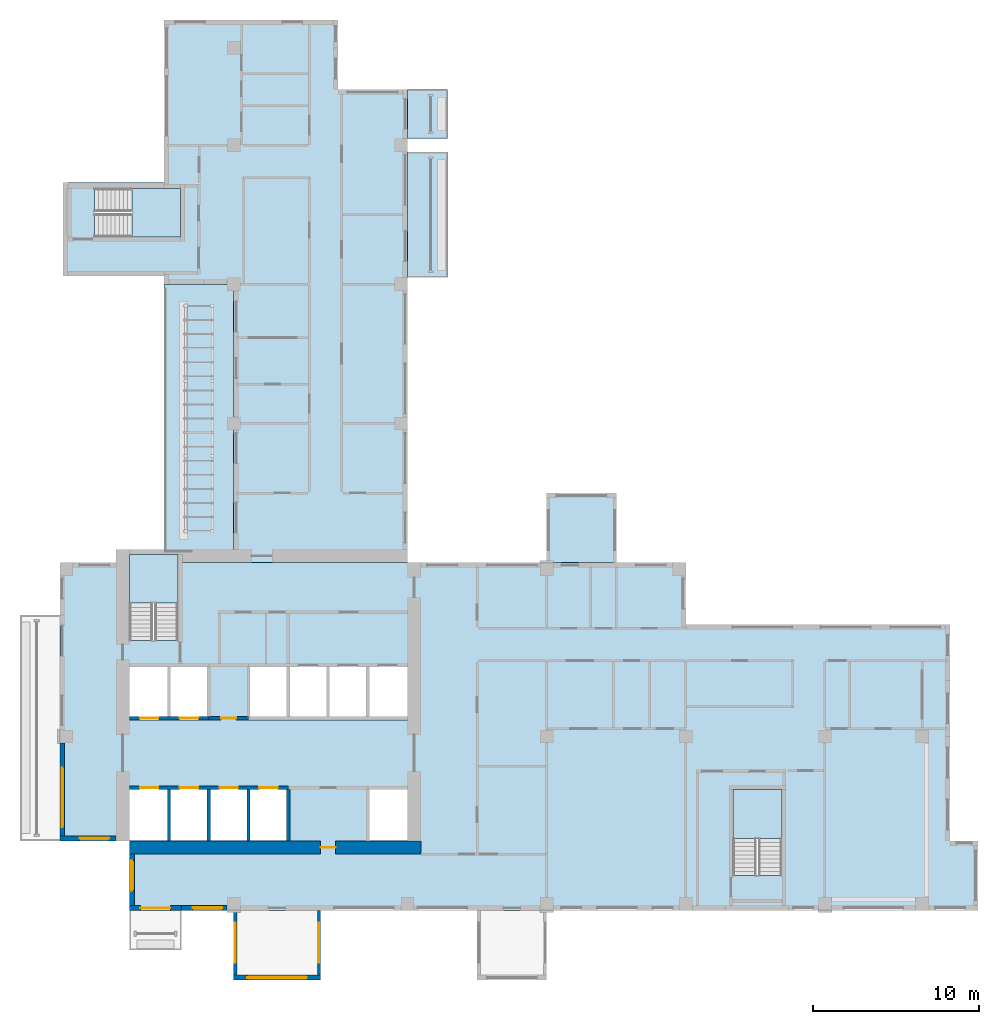
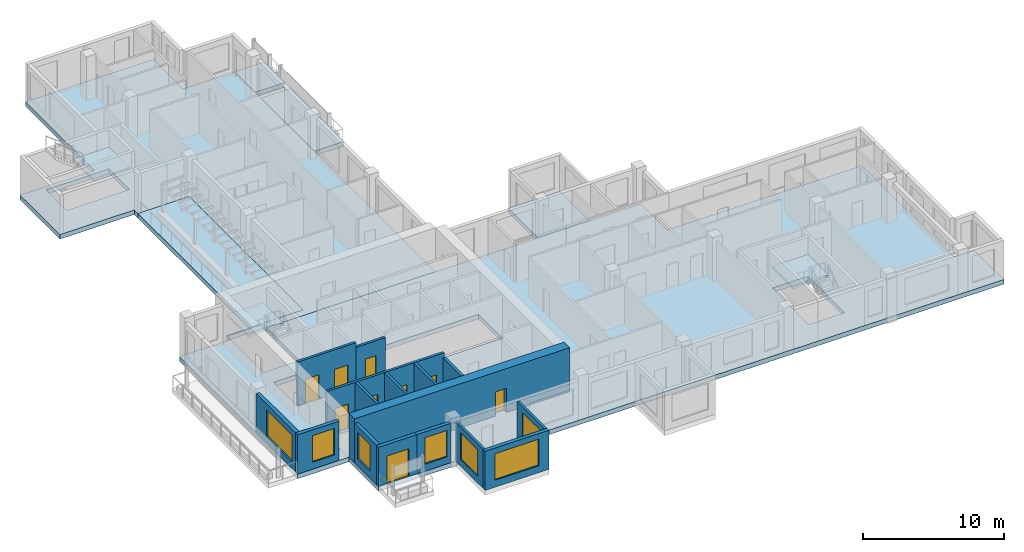
# One storey, part 3 of 14: 16 walls, 9 doors, 9 slabs, 7 windows, 16 openings, 3 elements without a shape of their own.
"""IFC4 building model written with IfcOpenShell, lengths in metres."""

from ifc_helpers import new_model, si_unit, direction, frame, frame_2d, origin, place, context, subcontext, project, spatial, polyline, rectangle, outline, extrude, source, transform, mapped, material, layer, layer_set, type_object, element, fill, aggregate, save


model = new_model("IFC4")

# Units and contexts
model_context = context("Model", 3, precision=1e-05, world=origin(), true_north=direction((0.0, 1.0)))
body_context = subcontext(model_context, "Body", "Model", "MODEL_VIEW")
ifc_project = project(units=[si_unit("LENGTHUNIT", "METRE"), si_unit("AREAUNIT", "SQUARE_METRE"), si_unit("VOLUMEUNIT", "CUBIC_METRE"), si_unit("PLANEANGLEUNIT", "RADIAN"), si_unit("MASSUNIT", "GRAM", prefix="KILO")], contexts=[model_context])

# Site, building, storey
site_placement = place(None, origin())
site = spatial("IfcSite", under=ifc_project, at=site_placement, CompositionType="ELEMENT")
building_placement = place(site_placement, origin())
building = spatial("IfcBuilding", under=site, at=building_placement, Name="Aurelian Terraces", CompositionType="ELEMENT")
storey_placement = place(building_placement, frame((0.0, 0.0, 231.0)))
storey = spatial("IfcBuildingStorey", under=building, at=storey_placement, Name="L52", CompositionType="ELEMENT", Elevation=231.0)

# Slabs
ifc_material_1 = material(Name="Concrete fc' 40 MPa", Category="concrete")
ifc_layer_1 = layer(ifc_material_1, 0.4)
ifc_layer_set_1 = layer_set([ifc_layer_1], Name="Balcony slab 400")
slab_type_1 = type_object("IfcSlabType", Name="Balcony slab 400", PredefinedType="NOTDEFINED", material=ifc_layer_set_1)
slab_1_placement = place(storey_placement, frame((0.0, 0.0, -0.4)))
element("IfcSlab", 1, at=slab_1_placement, inside=storey, type_object=slab_type_1, Name="Balcony slab L52 F08.20", PredefinedType="NOTDEFINED", context=body_context, shape_type="SweptSolid", body=[
    extrude(outline(polyline([(21.0, 38.2), (21.0, 45.8), (23.4, 45.8), (23.4, 38.2), (21.0, 38.2)])), origin(), (0.0, 0.0, 1.0), 0.4),
])
slab_2_placement = place(storey_placement, frame((0.0, 0.0, -0.4)))
element("IfcSlab", 2, at=slab_2_placement, inside=storey, type_object=slab_type_1, Name="Balcony slab L52 F08.21", PredefinedType="NOTDEFINED", context=body_context, shape_type="SweptSolid", body=[
    extrude(outline(polyline([(21.0, 46.6), (21.0, 49.56), (23.4, 49.56), (23.4, 46.6), (21.0, 46.6)])), origin(), (0.0, 0.0, 1.0), 0.4),
])
ifc_layer_2 = layer(ifc_material_1, 0.4)
ifc_layer_set_2 = layer_set([ifc_layer_2], Name="PT FLAT PLATE 400")
slab_type_2 = type_object("IfcSlabType", Name="PT FLAT PLATE 400", PredefinedType="FLOOR", material=ifc_layer_set_2)
slab_3_placement = place(storey_placement, frame((0.0, 0.0, -0.4)))
element("IfcSlab", 3, at=slab_3_placement, inside=storey, type_object=slab_type_2, Name="Floor slab W L52", PredefinedType="FLOOR", context=body_context, shape_type="SweptSolid", body=[
    extrude(outline(polyline([(6.3, 49.56), (6.3, 53.76), (10.5, 53.76), (16.8, 53.76), (16.8, 49.56), (21.0, 49.56), (21.0, 21.0), (7.14, 21.0), (7.14, 21.49), (4.21, 21.49), (4.21, 21.0), (4.2, 21.0), (4.2, 21.6), (6.3, 21.6), (10.5, 21.6), (10.5, 37.8), (6.3, 37.8), (6.3, 38.3), (0.2, 38.3), (0.2, 43.95), (6.3, 43.95), (6.3, 49.56)]), holes=[polyline([(7.29, 43.59), (2.11, 43.59), (2.11, 40.66), (7.29, 40.66), (7.29, 43.59)])]), origin(), (0.0, 0.0, 1.0), 0.4),
])
shared_shape_1 = source(origin(), body_context, "Body", "SweptSolid", [
    extrude(outline(polyline([(21.0, 0.0), (4.2, 0.0), (4.2, 4.2), (0.0, 4.2), (0.0, 21.0), (4.21, 21.0), (4.21, 16.31), (7.14, 16.31), (7.14, 21.0), (21.0, 21.0), (37.8, 21.0), (37.8, 17.25), (53.76, 17.25), (53.76, 4.2), (55.44, 4.2), (55.44, 0.0), (21.0, 0.0)]), holes=[polyline([(40.66, 2.11), (43.59, 2.11), (43.59, 7.29), (40.66, 7.29), (40.66, 2.11)]), polyline([(18.61, 7.49), (18.61, 4.21), (20.99, 4.21), (20.99, 7.49), (18.61, 7.49)]), polyline([(20.99, 14.89), (11.41, 14.89), (11.41, 11.51), (20.99, 11.51), (20.99, 14.89)]), polyline([(4.21, 7.49), (4.21, 4.21), (13.79, 4.21), (13.79, 7.49), (4.21, 7.49)]), polyline([(4.21, 14.89), (4.21, 11.51), (8.99, 11.51), (8.99, 14.89), (4.21, 14.89)])]), origin(), (0.0, 0.0, 1.0), 0.4),
])
slab_4_placement = place(storey_placement, frame((0.0, 0.0, -0.4)))
element("IfcSlab", 4, at=slab_4_placement, inside=storey, type_object=slab_type_2, Name="Floor slab S L52", PredefinedType="FLOOR", context=body_context, shape_type="MappedRepresentation", body=[
    mapped(shared_shape_1, transform((0.0, 0.0, 0.0), scale=1.0)),
])
ifc_layer_3 = layer(ifc_material_1, 0.41)
ifc_layer_set_3 = layer_set([ifc_layer_3], Name="Box floor 410")
slab_type_3 = type_object("IfcSlabType", Name="Box floor 410", PredefinedType="NOTDEFINED", material=ifc_layer_set_3)
shared_shape_2 = source(origin(), body_context, "Body", "SweptSolid", [
    extrude(outline(polyline([(33.6, 25.2), (29.4, 25.2), (29.4, 21.0), (33.6, 21.0), (33.6, 25.2)])), origin(), (0.0, 0.0, 1.0), 0.41),
])
slab_5_placement = place(storey_placement, frame((0.0, 0.0, -0.41)))
element("IfcSlab", 5, at=slab_5_placement, inside=storey, type_object=slab_type_3, Name="Box floor L52 J77", PredefinedType="NOTDEFINED", context=body_context, shape_type="MappedRepresentation", body=[
    mapped(shared_shape_2, transform((0.0, 0.0, 0.0), scale=1.0)),
])
ifc_layer_4 = layer(ifc_material_1, 0.4001)
ifc_layer_set_4 = layer_set([ifc_layer_4], Name="Terrace slab 400")
slab_type_4 = type_object("IfcSlabType", Name="Terrace slab 400", PredefinedType="NOTDEFINED", material=ifc_layer_set_4)
shared_shape_3 = source(origin(), body_context, "Body", "SweptSolid", [
    extrude(outline(polyline([(10.5, 21.6), (6.3, 21.6), (6.3, 37.8), (10.5, 37.8), (10.5, 21.6)])), origin(), (0.0, 0.0, 1.0), 0.4001),
])
slab_6_placement = place(storey_placement, frame((0.0, 0.0, -0.4001)))
element("IfcSlab", 6, at=slab_6_placement, inside=storey, type_object=slab_type_4, Name="Sky terrace L52 SKY-08-T1", PredefinedType="NOTDEFINED", context=body_context, shape_type="MappedRepresentation", body=[
    mapped(shared_shape_3, transform((0.0, 0.0, 0.0), scale=1.0)),
])

# Stair, slab
stair_type = type_object("IfcStairType", Name="Stair 1400", PredefinedType="HALF_TURN_STAIR", material=ifc_material_1)
stair_1_placement = place(storey_placement, origin())
stair_1 = element("IfcStair", 7, at=stair_1_placement, inside=storey, type_object=stair_type, Name="L52 S1", PredefinedType="HALF_TURN_STAIR")
ifc_layer_5 = layer(ifc_material_1, 0.2)
ifc_layer_set_5 = layer_set([ifc_layer_5], Name="Stair landing 200")
slab_type_5 = type_object("IfcSlabType", Name="Stair landing 200", PredefinedType="LANDING", material=ifc_layer_set_5)
shared_shape_4 = source(origin(), body_context, "Body", "SweptSolid", [
    extrude(outline(polyline([(7.15, 18.55), (7.15, 21.5), (4.2, 21.5), (4.2, 18.55), (7.15, 18.55)])), origin(), (0.0, 0.0, 1.0), 0.2),
])
slab_7_placement = place(storey_placement, frame((0.0, 0.0, 1.7)))
slab_7 = element("IfcSlab", 8, at=slab_7_placement, type_object=slab_type_5, Name="S1 landing 1", PredefinedType="LANDING", context=body_context, shape_type="MappedRepresentation", body=[
    mapped(shared_shape_4, transform((0.0, 0.0, 0.0), scale=1.0)),
])
aggregate(stair_1, [slab_7])

stair_2_placement = place(storey_placement, origin())
stair_2 = element("IfcStair", 9, at=stair_2_placement, inside=storey, type_object=stair_type, Name="L52 S2", PredefinedType="HALF_TURN_STAIR")
shared_shape_5 = source(origin(), body_context, "Body", "SweptSolid", [
    extrude(outline(polyline([(43.6, 4.35), (43.6, 7.3), (40.65, 7.3), (40.65, 4.35), (43.6, 4.35)])), origin(), (0.0, 0.0, 1.0), 0.2),
])
slab_8_placement = place(storey_placement, frame((0.0, 0.0, 1.7)))
slab_8 = element("IfcSlab", 10, at=slab_8_placement, type_object=slab_type_5, Name="S2 landing 1", PredefinedType="LANDING", context=body_context, shape_type="MappedRepresentation", body=[
    mapped(shared_shape_5, transform((0.0, 0.0, 0.0), scale=1.0)),
])
aggregate(stair_2, [slab_8])

stair_3_placement = place(storey_placement, origin())
stair_3 = element("IfcStair", 11, at=stair_3_placement, inside=storey, type_object=stair_type, Name="L52 S3", PredefinedType="HALF_TURN_STAIR")
shared_shape_6 = source(origin(), body_context, "Body", "SweptSolid", [
    extrude(outline(polyline([(4.35, 40.65), (7.3, 40.65), (7.3, 43.6), (4.35, 43.6), (4.35, 40.65)])), origin(), (0.0, 0.0, 1.0), 0.2),
])
slab_9_placement = place(storey_placement, frame((0.0, 0.0, 1.7)))
slab_9 = element("IfcSlab", 12, at=slab_9_placement, type_object=slab_type_5, Name="S3 landing 1", PredefinedType="LANDING", context=body_context, shape_type="MappedRepresentation", body=[
    mapped(shared_shape_6, transform((0.0, 0.0, 0.0), scale=1.0)),
])
aggregate(stair_3, [slab_9])

# Wall, opening, window
ifc_material_2 = material(Name="Terracotta rainscreen cladding", Category="masonry")
ifc_layer_6 = layer(ifc_material_2, 0.3)
ifc_layer_set_6 = layer_set([ifc_layer_6], Name="EW-300")
wall_type_1 = type_object("IfcWallType", Name="EW-300", PredefinedType="STANDARD", material=ifc_layer_set_6)
wall_1_placement = place(storey_placement, frame((7.35, 0.15, 0.0), z_axis=(0.0, 0.0, 1.0), x_axis=(1.0, 0.0, 0.0)))
wall_1 = element("IfcWall", 13, at=wall_1_placement, inside=storey, type_object=wall_type_1, Name="External wall L52 F01.2", PredefinedType="STANDARD", context=body_context, shape_type="SweptSolid", body=[
    extrude(rectangle(XDim=2.75, YDim=0.3, at=frame_2d((1.375, 0.0))), origin(), (0.0, 0.0, 1.0), 3.4),
])
shared_shape_7 = source(origin(), body_context, "Body", "SweptSolid", [
    extrude(rectangle(XDim=1.8, YDim=2.3, at=frame_2d((0.9, 1.15))), frame((0.0, 0.16, 0.0), z_axis=(0.0, -1.0, 0.0), x_axis=(1.0, 0.0, 0.0)), (0.0, 0.0, 1.0), 0.32),
])
opening_1_placement = place(wall_1_placement, frame((0.675, 0.0, 0.6)))
opening_1 = element("IfcOpeningElement", 14, at=opening_1_placement, cuts=wall_1, Name="Opening W1823", PredefinedType="OPENING", context=body_context, shape_type="MappedRepresentation", body=[
    mapped(shared_shape_7, transform((0.0, 0.0, 0.0), scale=1.0)),
])
ifc_material_3 = material(Name="Clear glazing", Category="glass")
window_type_1 = type_object("IfcWindowType", Name="W-1800x2300", PartitioningType="SINGLE_PANEL", PredefinedType="WINDOW", material=ifc_material_3)
shared_shape_8 = source(origin(), body_context, "Body", "SweptSolid", [
    extrude(rectangle(XDim=1.8, YDim=2.3, at=frame_2d((0.9, 1.15))), frame((0.0, 0.03, 0.0), z_axis=(0.0, -1.0, 0.0), x_axis=(1.0, 0.0, 0.0)), (0.0, 0.0, 1.0), 0.06),
])
window_1_placement = place(opening_1_placement, origin())
window_1 = element("IfcWindow", 15, at=window_1_placement, inside=storey, type_object=window_type_1, Name="Window L52 L52-F01-02-0", OverallHeight=2.3, OverallWidth=1.8, PartitioningType="SINGLE_PANEL", PredefinedType="WINDOW", context=body_context, shape_type="MappedRepresentation", body=[
    mapped(shared_shape_8, transform((0.0, 0.0, 0.0), scale=1.0)),
])
fill(opening_1, window_1)

# Wall, opening, door
ifc_material_4 = material(Name="Concrete fc' 70 MPa", Category="concrete")
ifc_layer_7 = layer(ifc_material_4, 0.8)
ifc_layer_set_7 = layer_set([ifc_layer_7], Name="CORE WALL 800 FC70")
wall_type_2 = type_object("IfcWallType", Name="CORE WALL 800 FC70", PredefinedType="SHEAR", material=ifc_layer_set_7)
shared_shape_9 = source(origin(), body_context, "Body", "SweptSolid", [
    extrude(rectangle(XDim=17.6, YDim=0.8, at=frame_2d((8.8, 0.0))), origin(), (0.0, 0.0, 1.0), 3.8),
])
wall_2_placement = place(storey_placement, frame((4.2, 3.8, 0.0), z_axis=(0.0, 0.0, 1.0), x_axis=(1.0, 0.0, 0.0)))
wall_2 = element("IfcWall", 16, at=wall_2_placement, inside=storey, type_object=wall_type_2, Name="Core wall S L52", PredefinedType="SHEAR", context=body_context, shape_type="MappedRepresentation", body=[
    mapped(shared_shape_9, transform((0.0, 0.0, 0.0), scale=1.0)),
])
shared_shape_10 = source(origin(), body_context, "Body", "SweptSolid", [
    extrude(rectangle(XDim=0.9, YDim=2.1, at=frame_2d((0.45, 1.05))), frame((0.0, 0.41, 0.0), z_axis=(0.0, -1.0, 0.0), x_axis=(1.0, 0.0, 0.0)), (0.0, 0.0, 1.0), 0.82),
])
opening_2_placement = place(wall_2_placement, frame((11.55, 0.0, 0.0)))
opening_2 = element("IfcOpeningElement", 17, at=opening_2_placement, cuts=wall_2, Name="Opening 65525", PredefinedType="OPENING", context=body_context, shape_type="MappedRepresentation", body=[
    mapped(shared_shape_10, transform((0.0, 0.0, 0.0), scale=1.0)),
])
ifc_material_5 = material(Name="Steel door leaf", Category="steel")
door_type_1 = type_object("IfcDoorType", Name="Core service door 900x2100 right", OperationType="SINGLE_SWING_RIGHT", PredefinedType="DOOR", material=ifc_material_5)
shared_shape_11 = source(origin(), body_context, "Body", "SweptSolid", [
    extrude(rectangle(XDim=0.9, YDim=2.1, at=frame_2d((0.45, 1.05))), frame((0.0, 0.025, 0.0), z_axis=(0.0, -1.0, 0.0), x_axis=(1.0, 0.0, 0.0)), (0.0, 0.0, 1.0), 0.05),
])
door_1_placement = place(opening_2_placement, origin())
door_1 = element("IfcDoor", 18, at=door_1_placement, inside=storey, type_object=door_type_1, Name="Core door 65525", OperationType="SINGLE_SWING_RIGHT", OverallHeight=2.1, OverallWidth=0.9, PredefinedType="DOOR", context=body_context, shape_type="MappedRepresentation", body=[
    mapped(shared_shape_11, transform((0.0, 0.0, 0.0), scale=1.0)),
])
fill(opening_2, door_1)

# Wall, opening, window
shared_shape_12 = source(origin(), body_context, "Body", "SweptSolid", [
    extrude(rectangle(XDim=3.4, YDim=0.3, at=frame_2d((1.7, 0.0))), origin(), (0.0, 0.0, 1.0), 3.4),
])
wall_3_placement = place(storey_placement, frame((0.0, 4.35, 0.0), z_axis=(0.0, 0.0, 1.0), x_axis=(1.0, 0.0, 0.0)))
wall_3 = element("IfcWall", 19, at=wall_3_placement, inside=storey, type_object=wall_type_1, Name="External wall L52 F23.38", PredefinedType="STANDARD", context=body_context, shape_type="MappedRepresentation", body=[
    mapped(shared_shape_12, transform((0.0, 0.0, 0.0), scale=1.0)),
])
opening_3_placement = place(wall_3_placement, frame((1.2, 0.0, 0.6)))
opening_3 = element("IfcOpeningElement", 20, at=opening_3_placement, cuts=wall_3, Name="Opening W1823", PredefinedType="OPENING", context=body_context, shape_type="MappedRepresentation", body=[
    mapped(shared_shape_7, transform((0.0, 0.0, 0.0), scale=1.0)),
])
window_2_placement = place(opening_3_placement, origin())
window_2 = element("IfcWindow", 21, at=window_2_placement, inside=storey, type_object=window_type_1, Name="Window L52 L52-F23-38-0", OverallHeight=2.3, OverallWidth=1.8, PartitioningType="SINGLE_PANEL", PredefinedType="WINDOW", context=body_context, shape_type="MappedRepresentation", body=[
    mapped(shared_shape_8, transform((0.0, 0.0, 0.0), scale=1.0)),
])
fill(opening_3, window_2)

wall_4_placement = place(storey_placement, frame((4.35, 3.4, 0.0), z_axis=(0.0, 0.0, 1.0), x_axis=(0.0, -1.0, 0.0)))
wall_4 = element("IfcWall", 22, at=wall_4_placement, inside=storey, type_object=wall_type_1, Name="External wall L52 F24.39", PredefinedType="STANDARD", context=body_context, shape_type="MappedRepresentation", body=[
    mapped(shared_shape_12, transform((0.0, 0.0, 0.0), scale=1.0)),
])
opening_4_placement = place(wall_4_placement, frame((0.4, 0.0, 0.6)))
opening_4 = element("IfcOpeningElement", 23, at=opening_4_placement, cuts=wall_4, Name="Opening W1823", PredefinedType="OPENING", context=body_context, shape_type="MappedRepresentation", body=[
    mapped(shared_shape_7, transform((0.0, 0.0, 0.0), scale=1.0)),
])
window_3_placement = place(opening_4_placement, origin())
window_3 = element("IfcWindow", 24, at=window_3_placement, inside=storey, type_object=window_type_1, Name="Window L52 L52-F24-39-0", OverallHeight=2.3, OverallWidth=1.8, PartitioningType="SINGLE_PANEL", PredefinedType="WINDOW", context=body_context, shape_type="MappedRepresentation", body=[
    mapped(shared_shape_8, transform((0.0, 0.0, 0.0), scale=1.0)),
])
fill(opening_4, window_3)

ifc_layer_8 = layer(ifc_material_1, 0.2)
ifc_layer_set_8 = layer_set([ifc_layer_8], Name="BOX BEARING WALL 200")
wall_type_3 = type_object("IfcWallType", Name="BOX BEARING WALL 200", PredefinedType="SOLIDWALL", material=ifc_layer_set_8)
shared_shape_13 = source(origin(), body_context, "Body", "SweptSolid", [
    extrude(rectangle(XDim=3.9, YDim=0.2, at=frame_2d((1.95, 0.0))), origin(), (0.0, 0.0, 1.0), 3.39),
])
wall_5_placement = place(storey_placement, frame((10.6, 0.0, 0.0), z_axis=(0.0, 0.0, 1.0), x_axis=(0.0, -1.0, 0.0)))
wall_5 = element("IfcWall", 25, at=wall_5_placement, inside=storey, type_object=wall_type_3, Name="Box return L52 J75.1", PredefinedType="SOLIDWALL", context=body_context, shape_type="MappedRepresentation", body=[
    mapped(shared_shape_13, transform((0.0, 0.0, 0.0), scale=1.0)),
])
shared_shape_14 = source(origin(), body_context, "Body", "SweptSolid", [
    extrude(rectangle(XDim=2.4, YDim=2.3, at=frame_2d((1.2, 1.15))), frame((0.0, 0.11, 0.0), z_axis=(0.0, -1.0, 0.0), x_axis=(1.0, 0.0, 0.0)), (0.0, 0.0, 1.0), 0.22),
])
opening_5_placement = place(wall_5_placement, frame((0.75, 0.0, 0.6)))
opening_5 = element("IfcOpeningElement", 26, at=opening_5_placement, cuts=wall_5, Name="Opening W2423", PredefinedType="OPENING", context=body_context, shape_type="MappedRepresentation", body=[
    mapped(shared_shape_14, transform((0.0, 0.0, 0.0), scale=1.0)),
])
window_type_2 = type_object("IfcWindowType", Name="W-2400x2300", PartitioningType="SINGLE_PANEL", PredefinedType="WINDOW", material=ifc_material_3)
shared_shape_15 = source(origin(), body_context, "Body", "SweptSolid", [
    extrude(rectangle(XDim=2.4, YDim=2.3, at=frame_2d((1.2, 1.15))), frame((0.0, 0.03, 0.0), z_axis=(0.0, -1.0, 0.0), x_axis=(1.0, 0.0, 0.0)), (0.0, 0.0, 1.0), 0.06),
])
window_4_placement = place(opening_5_placement, origin())
window_4 = element("IfcWindow", 27, at=window_4_placement, inside=storey, type_object=window_type_2, Name="Window L52 J75-S1", OverallHeight=2.3, OverallWidth=2.4, PartitioningType="SINGLE_PANEL", PredefinedType="WINDOW", context=body_context, shape_type="MappedRepresentation", body=[
    mapped(shared_shape_15, transform((0.0, 0.0, 0.0), scale=1.0)),
])
fill(opening_5, window_4)

wall_6_placement = place(storey_placement, frame((15.65, 0.0, 0.0), z_axis=(0.0, 0.0, 1.0), x_axis=(0.0, -1.0, 0.0)))
wall_6 = element("IfcWall", 28, at=wall_6_placement, inside=storey, type_object=wall_type_3, Name="Box return L52 J75.2", PredefinedType="SOLIDWALL", context=body_context, shape_type="MappedRepresentation", body=[
    mapped(shared_shape_13, transform((0.0, 0.0, 0.0), scale=1.0)),
])
opening_6_placement = place(wall_6_placement, frame((0.75, 0.0, 0.6)))
opening_6 = element("IfcOpeningElement", 29, at=opening_6_placement, cuts=wall_6, Name="Opening W2423", PredefinedType="OPENING", context=body_context, shape_type="MappedRepresentation", body=[
    mapped(shared_shape_14, transform((0.0, 0.0, 0.0), scale=1.0)),
])
window_5_placement = place(opening_6_placement, origin())
window_5 = element("IfcWindow", 30, at=window_5_placement, inside=storey, type_object=window_type_2, Name="Window L52 J75-S2", OverallHeight=2.3, OverallWidth=2.4, PartitioningType="SINGLE_PANEL", PredefinedType="WINDOW", context=body_context, shape_type="MappedRepresentation", body=[
    mapped(shared_shape_15, transform((0.0, 0.0, 0.0), scale=1.0)),
])
fill(opening_6, window_5)

# Wall, opening, door
shared_shape_16 = source(origin(), body_context, "Body", "SweptSolid", [
    extrude(rectangle(XDim=3.15, YDim=0.3, at=frame_2d((1.575, 0.0))), origin(), (0.0, 0.0, 1.0), 3.4),
])
wall_7_placement = place(storey_placement, frame((4.2, 0.15, 0.0), z_axis=(0.0, 0.0, 1.0), x_axis=(1.0, 0.0, 0.0)))
wall_7 = element("IfcWall", 31, at=wall_7_placement, inside=storey, type_object=wall_type_1, Name="External wall L52 F01.1", PredefinedType="STANDARD", context=body_context, shape_type="MappedRepresentation", body=[
    mapped(shared_shape_16, transform((0.0, 0.0, 0.0), scale=1.0)),
])
shared_shape_17 = source(origin(), body_context, "Body", "SweptSolid", [
    extrude(rectangle(XDim=1.8, YDim=2.4, at=frame_2d((0.9, 1.2))), frame((0.0, 0.16, 0.0), z_axis=(0.0, -1.0, 0.0), x_axis=(1.0, 0.0, 0.0)), (0.0, 0.0, 1.0), 0.32),
])
opening_7_placement = place(wall_7_placement, frame((0.675, 0.0, 0.0)))
opening_7 = element("IfcOpeningElement", 32, at=opening_7_placement, cuts=wall_7, Name="Opening 85201", PredefinedType="OPENING", context=body_context, shape_type="MappedRepresentation", body=[
    mapped(shared_shape_17, transform((0.0, 0.0, 0.0), scale=1.0)),
])
door_type_2 = type_object("IfcDoorType", Name="BD-1800x2400", OperationType="SLIDING_TO_LEFT", PredefinedType="DOOR", material=ifc_material_3)
shared_shape_18 = source(origin(), body_context, "Body", "SweptSolid", [
    extrude(rectangle(XDim=1.8, YDim=2.4, at=frame_2d((0.9, 1.2))), frame((0.0, 0.025, 0.0), z_axis=(0.0, -1.0, 0.0), x_axis=(1.0, 0.0, 0.0)), (0.0, 0.0, 1.0), 0.05),
])
door_2_placement = place(opening_7_placement, origin())
door_2 = element("IfcDoor", 33, at=door_2_placement, inside=storey, type_object=door_type_2, Name="Balcony door L52 F01.1", OperationType="SLIDING_TO_LEFT", OverallHeight=2.4, OverallWidth=1.8, PredefinedType="DOOR", context=body_context, shape_type="MappedRepresentation", body=[
    mapped(shared_shape_18, transform((0.0, 0.0, 0.0), scale=1.0)),
])
fill(opening_7, door_2)

# Wall, opening, window
ifc_layer_9 = layer(ifc_material_1, 0.3)
ifc_layer_set_9 = layer_set([ifc_layer_9], Name="BOX BEARING WALL 300")
wall_type_4 = type_object("IfcWallType", Name="BOX BEARING WALL 300", PredefinedType="SOLIDWALL", material=ifc_layer_set_9)
shared_shape_19 = source(origin(), body_context, "Body", "SweptSolid", [
    extrude(rectangle(XDim=5.25, YDim=0.3, at=frame_2d((2.625, 0.0))), origin(), (0.0, 0.0, 1.0), 3.39),
])
wall_8_placement = place(storey_placement, frame((10.5, -4.05, 0.0), z_axis=(0.0, 0.0, 1.0), x_axis=(1.0, 0.0, 0.0)))
wall_8 = element("IfcWall", 34, at=wall_8_placement, inside=storey, type_object=wall_type_4, Name="Box wall L52 J75", PredefinedType="SOLIDWALL", context=body_context, shape_type="MappedRepresentation", body=[
    mapped(shared_shape_19, transform((0.0, 0.0, 0.0), scale=1.0)),
])
shared_shape_20 = source(origin(), body_context, "Body", "SweptSolid", [
    extrude(rectangle(XDim=3.6, YDim=2.3, at=frame_2d((1.8, 1.15))), frame((0.0, 0.16, 0.0), z_axis=(0.0, -1.0, 0.0), x_axis=(1.0, 0.0, 0.0)), (0.0, 0.0, 1.0), 0.32),
])
opening_8_placement = place(wall_8_placement, frame((0.825, 0.0, 0.6)))
opening_8 = element("IfcOpeningElement", 35, at=opening_8_placement, cuts=wall_8, Name="Opening W3623", PredefinedType="OPENING", context=body_context, shape_type="MappedRepresentation", body=[
    mapped(shared_shape_20, transform((0.0, 0.0, 0.0), scale=1.0)),
])
window_type_3 = type_object("IfcWindowType", Name="W-3600x2300", PartitioningType="SINGLE_PANEL", PredefinedType="WINDOW", material=ifc_material_3)
shared_shape_21 = source(origin(), body_context, "Body", "SweptSolid", [
    extrude(rectangle(XDim=3.6, YDim=2.3, at=frame_2d((1.8, 1.15))), frame((0.0, 0.03, 0.0), z_axis=(0.0, -1.0, 0.0), x_axis=(1.0, 0.0, 0.0)), (0.0, 0.0, 1.0), 0.06),
])
window_6_placement = place(opening_8_placement, origin())
window_6 = element("IfcWindow", 36, at=window_6_placement, inside=storey, type_object=window_type_3, Name="Window L52 J75-F1", OverallHeight=2.3, OverallWidth=3.6, PartitioningType="SINGLE_PANEL", PredefinedType="WINDOW", context=body_context, shape_type="MappedRepresentation", body=[
    mapped(shared_shape_21, transform((0.0, 0.0, 0.0), scale=1.0)),
])
fill(opening_8, window_6)

shared_shape_22 = source(origin(), body_context, "Body", "SweptSolid", [
    extrude(rectangle(XDim=5.9, YDim=0.3, at=frame_2d((2.95, 0.0))), origin(), (0.0, 0.0, 1.0), 3.4),
])
wall_9_placement = place(storey_placement, frame((0.15, 10.1, 0.0), z_axis=(0.0, 0.0, 1.0), x_axis=(0.0, -1.0, 0.0)))
wall_9 = element("IfcWall", 37, at=wall_9_placement, inside=storey, type_object=wall_type_1, Name="External wall L52 F22.37", PredefinedType="STANDARD", context=body_context, shape_type="MappedRepresentation", body=[
    mapped(shared_shape_22, transform((0.0, 0.0, 0.0), scale=1.0)),
])
opening_9_placement = place(wall_9_placement, frame((1.475, 0.0, 0.6)))
opening_9 = element("IfcOpeningElement", 38, at=opening_9_placement, cuts=wall_9, Name="Opening W3623", PredefinedType="OPENING", context=body_context, shape_type="MappedRepresentation", body=[
    mapped(shared_shape_20, transform((0.0, 0.0, 0.0), scale=1.0)),
])
window_7_placement = place(opening_9_placement, origin())
window_7 = element("IfcWindow", 39, at=window_7_placement, inside=storey, type_object=window_type_3, Name="Window L52 L52-F22-37-2", OverallHeight=2.3, OverallWidth=3.6, PartitioningType="SINGLE_PANEL", PredefinedType="WINDOW", context=body_context, shape_type="MappedRepresentation", body=[
    mapped(shared_shape_21, transform((0.0, 0.0, 0.0), scale=1.0)),
])
fill(opening_9, window_7)

# Walls
ifc_layer_10 = layer(ifc_material_1, 0.2)
ifc_layer_set_10 = layer_set([ifc_layer_10], Name="Lift shaft wall 200")
wall_type_5 = type_object("IfcWallType", Name="Lift shaft wall 200", PredefinedType="SOLIDWALL", material=ifc_layer_set_10)
shared_shape_23 = source(origin(), body_context, "Body", "SweptSolid", [
    extrude(rectangle(XDim=3.1, YDim=0.2, at=frame_2d((1.55, 0.0))), origin(), (0.0, 0.0, 1.0), 3.8),
])
for number, where, z_axis, x_axis, name in (
    (40, (6.6, 4.2, 0.0), (0.0, 0.0, 1.0), (0.0, 1.0, 0.0), "L52 core wall CD-A1"),
    (41, (9.0, 4.2, 0.0), (0.0, 0.0, 1.0), (0.0, 1.0, 0.0), "L52 core wall CD-A2"),
    (42, (11.4, 4.2, 0.0), (0.0, 0.0, 1.0), (0.0, 1.0, 0.0), "L52 core wall CD-A3"),
):
    element("IfcWall", number, at=place(storey_placement, frame(where, z_axis=z_axis, x_axis=x_axis)), inside=storey, type_object=wall_type_5, Name=name, PredefinedType="SOLIDWALL", context=body_context, shape_type="MappedRepresentation", body=[
        mapped(shared_shape_23, transform((0.0, 0.0, 0.0), scale=1.0)),
    ])
shared_shape_24 = source(origin(), body_context, "Body", "SweptSolid", [
    extrude(rectangle(XDim=3.1, YDim=0.2, at=frame_2d((1.55, 0.0))), origin(), (0.0, 0.0, 1.0), 3.4),
])
wall_10_placement = place(storey_placement, frame((13.8, 4.2, 0.0), z_axis=(0.0, 0.0, 1.0), x_axis=(0.0, 1.0, 0.0)))
element("IfcWall", 43, at=wall_10_placement, inside=storey, type_object=wall_type_5, Name="L52 core wall CD-A4", PredefinedType="SOLIDWALL", context=body_context, shape_type="MappedRepresentation", body=[
    mapped(shared_shape_24, transform((0.0, 0.0, 0.0), scale=1.0)),
])

# Wall, openings, doors
shared_shape_25 = source(origin(), body_context, "Body", "SweptSolid", [
    extrude(rectangle(XDim=9.6, YDim=0.2, at=frame_2d((4.8, 0.0))), origin(), (0.0, 0.0, 1.0), 3.8),
])
wall_11_placement = place(storey_placement, frame((4.2, 7.4, 0.0), z_axis=(0.0, 0.0, 1.0), x_axis=(1.0, 0.0, 0.0)))
wall_11 = element("IfcWall", 44, at=wall_11_placement, inside=storey, type_object=wall_type_5, Name="L52 core wall CF-AF1", PredefinedType="SOLIDWALL", context=body_context, shape_type="MappedRepresentation", body=[
    mapped(shared_shape_25, transform((0.0, 0.0, 0.0), scale=1.0)),
])
shared_shape_26 = source(origin(), body_context, "Body", "SweptSolid", [
    extrude(rectangle(XDim=1.1, YDim=2.1, at=frame_2d((0.55, 1.05))), frame((0.0, 0.11, 0.0), z_axis=(0.0, -1.0, 0.0), x_axis=(1.0, 0.0, 0.0)), (0.0, 0.0, 1.0), 0.22),
])
opening_10_placement = place(wall_11_placement, frame((0.65, 0.0, 0.0)))
opening_10 = element("IfcOpeningElement", 45, at=opening_10_placement, cuts=wall_11, Name="Opening 65500", PredefinedType="OPENING", context=body_context, shape_type="MappedRepresentation", body=[
    mapped(shared_shape_26, transform((0.0, 0.0, 0.0), scale=1.0)),
])
opening_11_placement = place(wall_11_placement, frame((3.05, 0.0, 0.0)))
opening_11 = element("IfcOpeningElement", 46, at=opening_11_placement, cuts=wall_11, Name="Opening 65501", PredefinedType="OPENING", context=body_context, shape_type="MappedRepresentation", body=[
    mapped(shared_shape_26, transform((0.0, 0.0, 0.0), scale=1.0)),
])
opening_12_placement = place(wall_11_placement, frame((5.45, 0.0, 0.0)))
opening_12 = element("IfcOpeningElement", 47, at=opening_12_placement, cuts=wall_11, Name="Opening 65502", PredefinedType="OPENING", context=body_context, shape_type="MappedRepresentation", body=[
    mapped(shared_shape_26, transform((0.0, 0.0, 0.0), scale=1.0)),
])
opening_13_placement = place(wall_11_placement, frame((7.85, 0.0, 0.0)))
opening_13 = element("IfcOpeningElement", 48, at=opening_13_placement, cuts=wall_11, Name="Opening 65503", PredefinedType="OPENING", context=body_context, shape_type="MappedRepresentation", body=[
    mapped(shared_shape_26, transform((0.0, 0.0, 0.0), scale=1.0)),
])
ifc_material_6 = material(Name="Stainless steel", Category="steel")
door_type_3 = type_object("IfcDoorType", Name="Lift landing door 1100x2100", OperationType="SLIDING_TO_LEFT", PredefinedType="DOOR", material=ifc_material_6)
shared_shape_27 = source(origin(), body_context, "Body", "SweptSolid", [
    extrude(rectangle(XDim=1.1, YDim=2.1, at=frame_2d((0.55, 1.05))), frame((0.0, 0.025, 0.0), z_axis=(0.0, -1.0, 0.0), x_axis=(1.0, 0.0, 0.0)), (0.0, 0.0, 1.0), 0.05),
])
door_3_placement = place(opening_10_placement, origin())
door_3 = element("IfcDoor", 49, at=door_3_placement, inside=storey, type_object=door_type_3, Name="Lift landing door LM1 L52", OperationType="SLIDING_TO_LEFT", OverallHeight=2.1, OverallWidth=1.1, PredefinedType="DOOR", context=body_context, shape_type="MappedRepresentation", body=[
    mapped(shared_shape_27, transform((0.0, 0.0, 0.0), scale=1.0)),
])
fill(opening_10, door_3)
door_4_placement = place(opening_11_placement, origin())
door_4 = element("IfcDoor", 50, at=door_4_placement, inside=storey, type_object=door_type_3, Name="Lift landing door LM2 L52", OperationType="SLIDING_TO_LEFT", OverallHeight=2.1, OverallWidth=1.1, PredefinedType="DOOR", context=body_context, shape_type="MappedRepresentation", body=[
    mapped(shared_shape_27, transform((0.0, 0.0, 0.0), scale=1.0)),
])
fill(opening_11, door_4)
door_5_placement = place(opening_12_placement, origin())
door_5 = element("IfcDoor", 51, at=door_5_placement, inside=storey, type_object=door_type_3, Name="Lift landing door LM3 L52", OperationType="SLIDING_TO_LEFT", OverallHeight=2.1, OverallWidth=1.1, PredefinedType="DOOR", context=body_context, shape_type="MappedRepresentation", body=[
    mapped(shared_shape_27, transform((0.0, 0.0, 0.0), scale=1.0)),
])
fill(opening_12, door_5)
door_6_placement = place(opening_13_placement, origin())
door_6 = element("IfcDoor", 52, at=door_6_placement, inside=storey, type_object=door_type_3, Name="Lift landing door LM4 L52", OperationType="SLIDING_TO_LEFT", OverallHeight=2.1, OverallWidth=1.1, PredefinedType="DOOR", context=body_context, shape_type="MappedRepresentation", body=[
    mapped(shared_shape_27, transform((0.0, 0.0, 0.0), scale=1.0)),
])
fill(opening_13, door_6)

shared_shape_28 = source(origin(), body_context, "Body", "SweptSolid", [
    extrude(rectangle(XDim=4.8, YDim=0.2, at=frame_2d((2.4, 0.0))), origin(), (0.0, 0.0, 1.0), 3.8),
])
wall_12_placement = place(storey_placement, frame((4.2, 11.6, 0.0), z_axis=(0.0, 0.0, 1.0), x_axis=(1.0, 0.0, 0.0)))
wall_12 = element("IfcWall", 53, at=wall_12_placement, inside=storey, type_object=wall_type_5, Name="L52 core wall CF-BF1", PredefinedType="SOLIDWALL", context=body_context, shape_type="MappedRepresentation", body=[
    mapped(shared_shape_28, transform((0.0, 0.0, 0.0), scale=1.0)),
])
opening_14_placement = place(wall_12_placement, frame((0.65, 0.0, 0.0)))
opening_14 = element("IfcOpeningElement", 54, at=opening_14_placement, cuts=wall_12, Name="Opening 65505", PredefinedType="OPENING", context=body_context, shape_type="MappedRepresentation", body=[
    mapped(shared_shape_26, transform((0.0, 0.0, 0.0), scale=1.0)),
])
opening_15_placement = place(wall_12_placement, frame((3.05, 0.0, 0.0)))
opening_15 = element("IfcOpeningElement", 55, at=opening_15_placement, cuts=wall_12, Name="Opening 65506", PredefinedType="OPENING", context=body_context, shape_type="MappedRepresentation", body=[
    mapped(shared_shape_26, transform((0.0, 0.0, 0.0), scale=1.0)),
])
door_7_placement = place(opening_14_placement, origin())
door_7 = element("IfcDoor", 56, at=door_7_placement, inside=storey, type_object=door_type_3, Name="Lift landing door LM5 L52", OperationType="SLIDING_TO_LEFT", OverallHeight=2.1, OverallWidth=1.1, PredefinedType="DOOR", context=body_context, shape_type="MappedRepresentation", body=[
    mapped(shared_shape_27, transform((0.0, 0.0, 0.0), scale=1.0)),
])
fill(opening_14, door_7)
door_8_placement = place(opening_15_placement, origin())
door_8 = element("IfcDoor", 57, at=door_8_placement, inside=storey, type_object=door_type_3, Name="Lift landing door LM6 L52", OperationType="SLIDING_TO_LEFT", OverallHeight=2.1, OverallWidth=1.1, PredefinedType="DOOR", context=body_context, shape_type="MappedRepresentation", body=[
    mapped(shared_shape_27, transform((0.0, 0.0, 0.0), scale=1.0)),
])
fill(opening_15, door_8)

# Wall, opening, door
shared_shape_29 = source(origin(), body_context, "Body", "SweptSolid", [
    extrude(rectangle(XDim=2.4, YDim=0.2, at=frame_2d((1.2, 0.0))), origin(), (0.0, 0.0, 1.0), 3.4),
])
wall_13_placement = place(storey_placement, frame((9.0, 11.6, 0.0), z_axis=(0.0, 0.0, 1.0), x_axis=(1.0, 0.0, 0.0)))
wall_13 = element("IfcWall", 58, at=wall_13_placement, inside=storey, type_object=wall_type_5, Name="L52 core wall CF-BF2", PredefinedType="SOLIDWALL", context=body_context, shape_type="MappedRepresentation", body=[
    mapped(shared_shape_29, transform((0.0, 0.0, 0.0), scale=1.0)),
])
shared_shape_30 = source(origin(), body_context, "Body", "SweptSolid", [
    extrude(rectangle(XDim=0.9, YDim=2.1, at=frame_2d((0.45, 1.05))), frame((0.0, 0.11, 0.0), z_axis=(0.0, -1.0, 0.0), x_axis=(1.0, 0.0, 0.0)), (0.0, 0.0, 1.0), 0.22),
])
opening_16_placement = place(wall_13_placement, frame((0.75, 0.0, 0.0)))
opening_16 = element("IfcOpeningElement", 59, at=opening_16_placement, cuts=wall_13, Name="Opening 65507", PredefinedType="OPENING", context=body_context, shape_type="MappedRepresentation", body=[
    mapped(shared_shape_30, transform((0.0, 0.0, 0.0), scale=1.0)),
])
door_type_4 = type_object("IfcDoorType", Name="Core service door 900x2100", OperationType="SINGLE_SWING_LEFT", PredefinedType="DOOR", material=ifc_material_5)
door_9_placement = place(opening_16_placement, origin())
door_9 = element("IfcDoor", 60, at=door_9_placement, inside=storey, type_object=door_type_4, Name="Room door 65507", OperationType="SINGLE_SWING_LEFT", OverallHeight=2.1, OverallWidth=0.9, PredefinedType="DOOR", context=body_context, shape_type="MappedRepresentation", body=[
    mapped(shared_shape_11, transform((0.0, 0.0, 0.0), scale=1.0)),
])
fill(opening_16, door_9)

save(model, "model.ifc")
